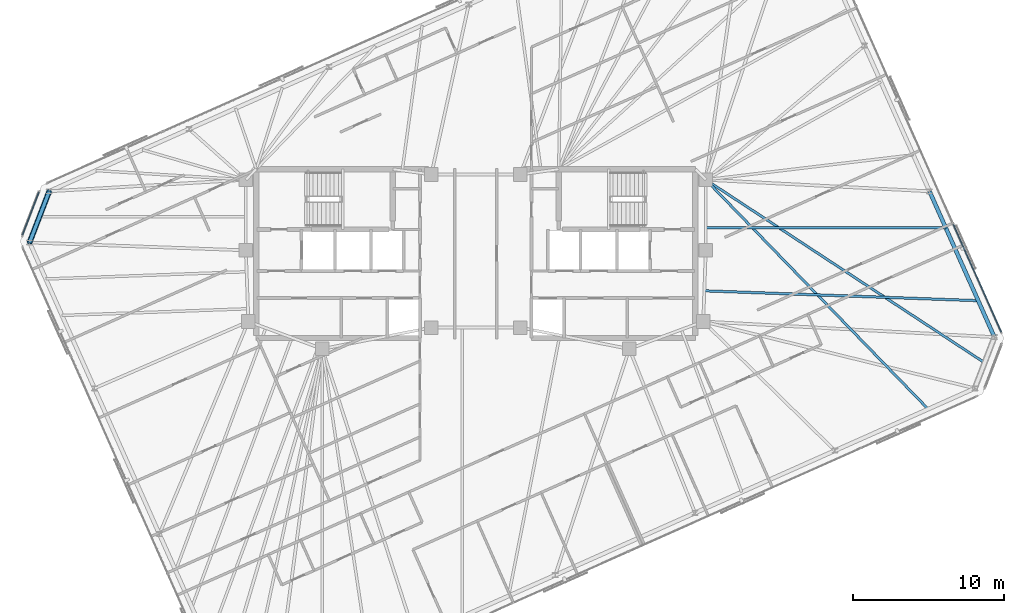
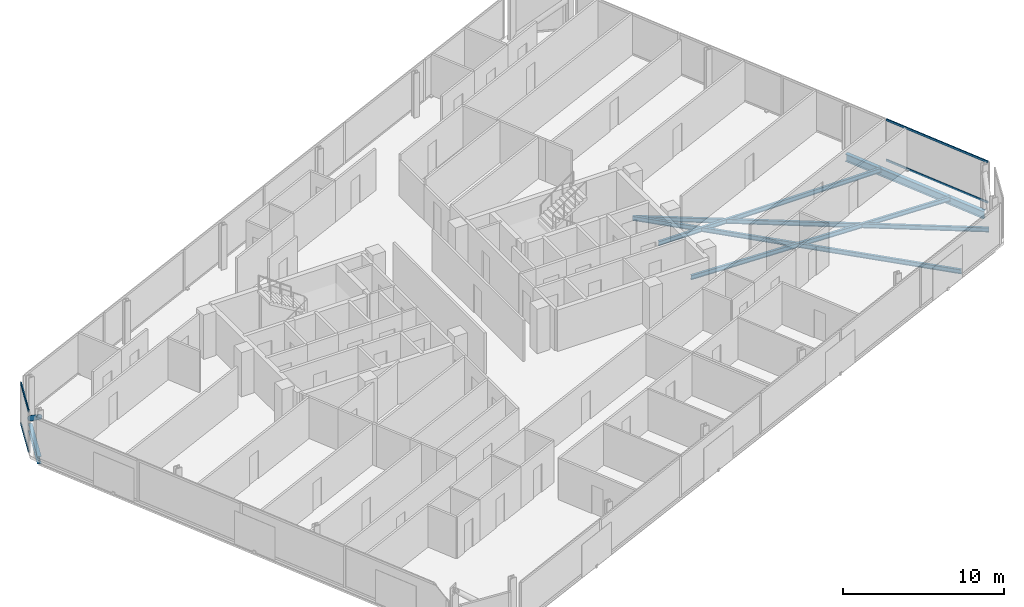
# One storey, part 8 of 19: 6 beams, 5 members, 2 elements without a shape of their own.
"""IFC4 building model written with IfcOpenShell, lengths in metres."""

from ifc_helpers import new_model, si_unit, direction, frame, origin, origin_2d, place, context, subcontext, project, spatial, rectangle, hollow_circle, i_section, extrude, material, material_profile, profile_set, type_object, element, aggregate, save


model = new_model("IFC4")

# Units and contexts
model_context = context("Model", 3, precision=1e-05, world=origin(), true_north=direction((0.0, 1.0)))
body_context = subcontext(model_context, "Body", "Model", "MODEL_VIEW")
ifc_project = project(units=[si_unit("LENGTHUNIT", "METRE"), si_unit("AREAUNIT", "SQUARE_METRE"), si_unit("VOLUMEUNIT", "CUBIC_METRE"), si_unit("PLANEANGLEUNIT", "RADIAN"), si_unit("MASSUNIT", "GRAM", prefix="KILO")], contexts=[model_context])

# Site, building, storey
site_placement = place(None, origin())
site = spatial("IfcSite", under=ifc_project, at=site_placement, CompositionType="ELEMENT")
building_placement = place(site_placement, origin())
building = spatial("IfcBuilding", under=site, at=building_placement, Name="Menara Jurai Vektor", CompositionType="ELEMENT")
storey_placement = place(building_placement, frame((0.0, 0.0, 281.89990234375)))
storey = spatial("IfcBuildingStorey", under=building, at=storey_placement, Name="L75", CompositionType="ELEMENT", Elevation=281.89990234375)

# Curtain wall, members
ifc_material_1 = material(Name="Anodised Pale Aluminium & Low-E Double Glazing", Category="aluminium")
curtain_wall_type = type_object("IfcCurtainWallType", Name="CW-BLK5", PredefinedType="NOTDEFINED", material=ifc_material_1)
curtain_wall_1_placement = place(storey_placement, origin())
curtain_wall_1 = element("IfcCurtainWall", 1, at=curtain_wall_1_placement, inside=storey, type_object=curtain_wall_type, Name="Unitised Curtain Wall L75 F03", PredefinedType="NOTDEFINED")
ifc_material_2 = material(Name="Anodised Pale Aluminium Transom", Category="aluminium")
ifc_material_profile_1 = material_profile(ifc_material_2, rectangle(XDim=0.074951171875, YDim=0.155029296875, at=origin_2d()), Name="ALU TRN 75x155")
ifc_profile_set_1 = profile_set([ifc_material_profile_1], Name="Anodised Pale Aluminium Transom")
member_type_1 = type_object("IfcMemberType", Name="CW-BLK5-TRN", PredefinedType="USERDEFINED", material=ifc_profile_set_1)
member_1_placement = place(storey_placement, frame((34.840087890625, -5.19189453125, 0.03759765625), z_axis=(-0.406739711224, 0.913544091609, 0.0), x_axis=(-0.913544091609, -0.406739711224, 0.0)))
member_1 = element("IfcMember", 2, at=member_1_placement, type_object=member_type_1, Name="CW-05 transom 1.1", ObjectType="TRANSOM", PredefinedType="USERDEFINED", context=body_context, shape_type="SweptSolid", body=[
    extrude(rectangle(XDim=0.074951171875, YDim=0.155029296875, at=origin_2d()), origin(), (0.0, 0.0, 1.0), 7.797607421875),
])
member_2_placement = place(storey_placement, frame((34.840087890625, -5.19189453125, 3.087646484375), z_axis=(-0.406739711224, 0.913544091609, 0.0), x_axis=(-0.913544091609, -0.406739711224, 0.0)))
member_2 = element("IfcMember", 3, at=member_2_placement, type_object=member_type_1, Name="CW-05 transom 1.2", ObjectType="TRANSOM", PredefinedType="USERDEFINED", context=body_context, shape_type="SweptSolid", body=[
    extrude(rectangle(XDim=0.074951171875, YDim=0.155029296875, at=origin_2d()), origin(), (0.0, 0.0, 1.0), 7.797607421875),
])
aggregate(curtain_wall_1, [member_1, member_2])

curtain_wall_2_placement = place(storey_placement, origin())
curtain_wall_2 = element("IfcCurtainWall", 4, at=curtain_wall_2_placement, inside=storey, type_object=curtain_wall_type, Name="Unitised Curtain Wall L75 F06", PredefinedType="NOTDEFINED")
member_3_placement = place(storey_placement, frame((-28.96923828125, 4.079345703125, 0.03759765625), z_axis=(-0.358324523823, -0.933597094911, 0.0), x_axis=(0.933597094911, -0.358324523823, 0.0)))
member_3 = element("IfcMember", 5, at=member_3_placement, type_object=member_type_1, Name="CW-05 transom 1.1", ObjectType="TRANSOM", PredefinedType="USERDEFINED", context=body_context, shape_type="SweptSolid", body=[
    extrude(rectangle(XDim=0.074951171875, YDim=0.155029296875, at=origin_2d()), origin(), (0.0, 0.0, 1.0), 3.049560546875),
])
member_4_placement = place(storey_placement, frame((-28.96923828125, 4.079345703125, 3.087646484375), z_axis=(-0.358324523823, -0.933597094911, 0.0), x_axis=(0.933597094911, -0.358324523823, 0.0)))
member_4 = element("IfcMember", 6, at=member_4_placement, type_object=member_type_1, Name="CW-05 transom 1.2", ObjectType="TRANSOM", PredefinedType="USERDEFINED", context=body_context, shape_type="SweptSolid", body=[
    extrude(rectangle(XDim=0.074951171875, YDim=0.155029296875, at=origin_2d()), origin(), (0.0, 0.0, 1.0), 3.049560546875),
])
aggregate(curtain_wall_2, [member_3, member_4])

# Member
ifc_material_3 = material(Name="Steel S460", Category="steel")
ifc_material_profile_2 = material_profile(ifc_material_3, hollow_circle(Radius=0.177734375, WallThickness=0.01611328125, at=origin_2d()), Name="CHS 355.6x16")
ifc_profile_set_2 = profile_set([ifc_material_profile_2], Name="Steel S460")
member_type_2 = type_object("IfcMemberType", Name="STR-BR-356", PredefinedType="BRACE", material=ifc_profile_set_2)
member_5_placement = place(storey_placement, frame((-28.2880859375, 4.1328125, 0.150146484375), z_axis=(-0.2906257681, -0.757042028889, 0.585170085882), x_axis=(0.933570293083, -0.358394346877, 0.0)))
element("IfcMember", 7, at=member_5_placement, inside=storey, type_object=member_type_2, Name="Exoskeleton Corner Brace L75-3", PredefinedType="BRACE", context=body_context, shape_type="SweptSolid", body=[
    extrude(hollow_circle(Radius=0.177734375, WallThickness=0.01611328125, at=origin_2d()), origin(), (0.0, 0.0, 1.0), 4.48583984375),
])

# Beams
ifc_material_4 = material(Name="Steel S355", Category="steel")
ifc_material_profile_3 = material_profile(ifc_material_4, i_section(OverallWidth=0.1650390625, OverallDepth=0.330078125, WebThickness=0.009033203125, FlangeThickness=0.013916015625, at=origin_2d()), Name="PG 330x165x46")
ifc_profile_set_3 = profile_set([ifc_material_profile_3], Name="Steel S355")
beam_type_1 = type_object("IfcBeamType", Name="STR-JS-330", PredefinedType="JOIST", material=ifc_profile_set_3)
beam_1_placement = place(storey_placement, frame((29.996826171875, -10.30908203125, -0.389892578125), z_axis=(-0.696114697983, 0.717930586653, 0.0), x_axis=(-0.717930586653, -0.696114697983, 0.0)))
element("IfcBeam", 8, at=beam_1_placement, inside=storey, type_object=beam_type_1, Name="Radial Secondary Floor Joist L75-JS06", PredefinedType="JOIST", context=body_context, shape_type="SweptSolid", body=[
    extrude(i_section(OverallWidth=0.1650390625, OverallDepth=0.330078125, WebThickness=0.009033203125, FlangeThickness=0.013916015625, at=origin_2d()), origin(), (0.0, 0.0, 1.0), 21.1845703125),
])
beam_2_placement = place(storey_placement, frame((33.739990234375, -7.23486328125, -0.389892578125), z_axis=(-0.836033194478, 0.54867886576, 0.0), x_axis=(-0.54867886576, -0.836033194478, 0.0)))
element("IfcBeam", 9, at=beam_2_placement, inside=storey, type_object=beam_type_1, Name="Radial Secondary Floor Joist L75-JS07", PredefinedType="JOIST", context=body_context, shape_type="SweptSolid", body=[
    extrude(i_section(OverallWidth=0.1650390625, OverallDepth=0.330078125, WebThickness=0.009033203125, FlangeThickness=0.013916015625, at=origin_2d()), origin(), (0.0, 0.0, 1.0), 22.116455078125),
])
beam_3_placement = place(storey_placement, frame((33.315185546875, -3.119384765625, -0.389892578125), z_axis=(-0.999351699571, 0.036002507761, 0.0), x_axis=(-0.036002507761, -0.999351699571, 0.0)))
element("IfcBeam", 10, at=beam_3_placement, inside=storey, type_object=beam_type_1, Name="Radial Secondary Floor Joist L75-JS08", PredefinedType="JOIST", context=body_context, shape_type="SweptSolid", body=[
    extrude(i_section(OverallWidth=0.1650390625, OverallDepth=0.330078125, WebThickness=0.009033203125, FlangeThickness=0.013916015625, at=origin_2d()), origin(), (0.0, 0.0, 1.0), 18.173583984375),
])
beam_4_placement = place(storey_placement, frame((31.16259765625, 1.7158203125, -0.389892578125), z_axis=(-1.0, 0.0, 0.0), x_axis=(0.0, -1.0, 0.0)))
element("IfcBeam", 11, at=beam_4_placement, inside=storey, type_object=beam_type_1, Name="Radial Secondary Floor Joist L75-JS09", PredefinedType="JOIST", context=body_context, shape_type="SweptSolid", body=[
    extrude(i_section(OverallWidth=0.1650390625, OverallDepth=0.330078125, WebThickness=0.009033203125, FlangeThickness=0.013916015625, at=origin_2d()), origin(), (0.0, 0.0, 1.0), 15.91259765625),
])
ifc_material_profile_4 = material_profile(ifc_material_4, i_section(OverallWidth=0.260009765625, OverallDepth=0.570068359375, WebThickness=0.013916015625, FlangeThickness=0.02392578125, at=origin_2d()), Name="PG 570x260x145")
ifc_profile_set_4 = profile_set([ifc_material_profile_4], Name="Steel S355")
beam_type_2 = type_object("IfcBeamType", Name="STR-SP-570", PredefinedType="SPANDREL", material=ifc_profile_set_4)
beam_5_placement = place(storey_placement, frame((34.3916015625, -5.536865234375, -0.510009765625), z_axis=(-0.40673543049, 0.91354599752, 0.0), x_axis=(-0.91354599752, -0.40673543049, 0.0)))
element("IfcBeam", 12, at=beam_5_placement, inside=storey, type_object=beam_type_2, Name="Exoskeleton Spandrel Beam L75-07", PredefinedType="SPANDREL", context=body_context, shape_type="SweptSolid", body=[
    extrude(i_section(OverallWidth=0.260009765625, OverallDepth=0.570068359375, WebThickness=0.013916015625, FlangeThickness=0.02392578125, at=origin_2d()), origin(), (0.0, 0.0, 1.0), 10.585205078125),
])
beam_6_placement = place(storey_placement, frame((-28.2880859375, 4.1328125, -0.510009765625), z_axis=(-0.358394346877, -0.933570293083, 0.0), x_axis=(0.933570293083, -0.358394346877, 0.0)))
element("IfcBeam", 13, at=beam_6_placement, inside=storey, type_object=beam_type_2, Name="Exoskeleton Spandrel Beam L75-16", PredefinedType="SPANDREL", context=body_context, shape_type="SweptSolid", body=[
    extrude(i_section(OverallWidth=0.260009765625, OverallDepth=0.570068359375, WebThickness=0.013916015625, FlangeThickness=0.02392578125, at=origin_2d()), origin(), (0.0, 0.0, 1.0), 3.6376953125),
])

save(model, "model.ifc")
